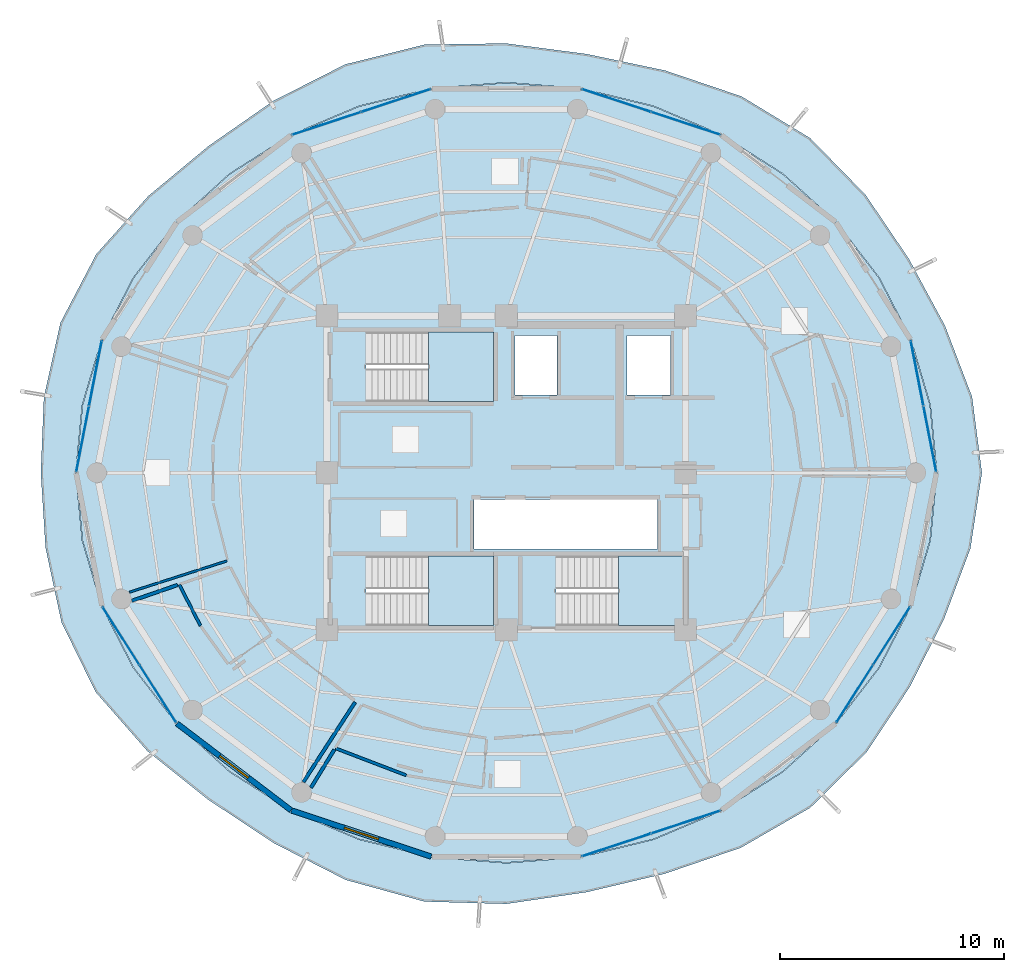
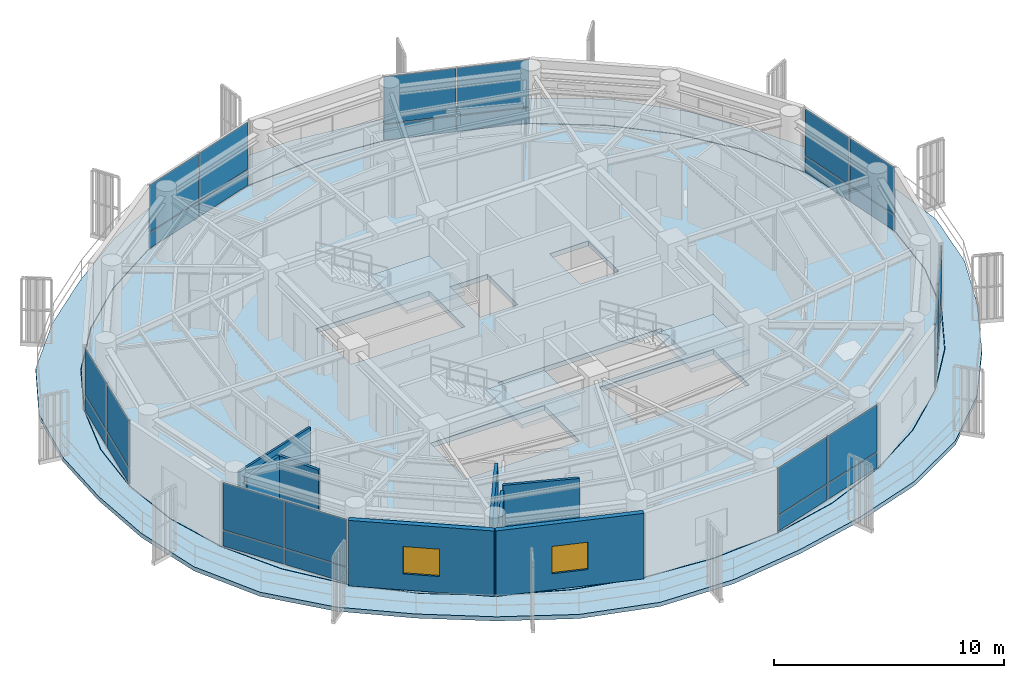
# One storey, part 14 of 22: 28 plates, 8 walls, 5 slabs, 2 windows, 2 openings, 10 elements without a shape of their own.
"""IFC4 building model written with IfcOpenShell, lengths in metres."""

from ifc_helpers import new_model, si_unit, direction, frame, frame_2d, origin, origin_2d, place, context, subcontext, project, spatial, polyline, rectangle, outline, extrude, source, transform, mapped, material, layer, layer_set, type_object, element, fill, aggregate, save


model = new_model("IFC4")

# Units and contexts
model_context = context("Model", 3, precision=1e-05, world=origin(), true_north=direction((0.0, 1.0)))
body_context = subcontext(model_context, "Body", "Model", "MODEL_VIEW")
ifc_project = project(units=[si_unit("LENGTHUNIT", "METRE"), si_unit("AREAUNIT", "SQUARE_METRE"), si_unit("VOLUMEUNIT", "CUBIC_METRE"), si_unit("PLANEANGLEUNIT", "RADIAN"), si_unit("MASSUNIT", "GRAM", prefix="KILO")], contexts=[model_context])

# Site, building, storey
site_placement = place(None, origin())
site = spatial("IfcSite", under=ifc_project, at=site_placement, CompositionType="ELEMENT")
building_placement = place(site_placement, origin())
building = spatial("IfcBuilding", under=site, at=building_placement, Name="Kelanora Arch Commons", CompositionType="ELEMENT")
storey_placement = place(building_placement, frame((0.0, 0.0, 271.199951171875)))
storey = spatial("IfcBuildingStorey", under=building, at=storey_placement, Name="L69", CompositionType="ELEMENT", Elevation=271.199951171875)

# Stair, slab
ifc_material_1 = material(Name="Concrete C40/50", Category="concrete")
stair_type = type_object("IfcStairType", Name="STR-DL-375", PredefinedType="HALF_TURN_STAIR", material=ifc_material_1)
stair_1_placement = place(storey_placement, origin())
stair_1 = element("IfcStair", 1, at=stair_1_placement, inside=storey, type_object=stair_type, Name="L69 ST-T1", PredefinedType="HALF_TURN_STAIR")
ifc_layer_1 = layer(ifc_material_1, 0.199951171875)
ifc_layer_set_1 = layer_set([ifc_layer_1], Name="Concrete C40/50")
slab_type_1 = type_object("IfcSlabType", Name="SLB-STAIR-LND", PredefinedType="LANDING", material=ifc_layer_set_1)
slab_1_placement = place(storey_placement, frame((0.0, 0.0, 1.675048828125)))
slab_1 = element("IfcSlab", 2, at=slab_1_placement, type_object=slab_type_1, Name="ST-T1 landing 1", PredefinedType="LANDING", context=body_context, shape_type="SweptSolid", body=[
    extrude(outline(polyline([(70.52001953125, 61.179931640625), (73.43994140625, 61.179931640625), (73.43994140625, 64.2900390625), (70.52001953125, 64.2900390625), (70.52001953125, 61.179931640625)])), origin(), (0.0, 0.0, 1.0), 0.199951171875),
])
aggregate(stair_1, [slab_1])

stair_2_placement = place(storey_placement, origin())
stair_2 = element("IfcStair", 3, at=stair_2_placement, inside=storey, type_object=stair_type, Name="L69 ST-T2", PredefinedType="HALF_TURN_STAIR")
slab_2_placement = place(storey_placement, frame((0.0, 0.0, 1.675048828125)))
slab_2 = element("IfcSlab", 4, at=slab_2_placement, type_object=slab_type_1, Name="ST-T2 landing 1", PredefinedType="LANDING", context=body_context, shape_type="SweptSolid", body=[
    extrude(outline(polyline([(79.0, 51.179931640625), (81.919921875, 51.179931640625), (81.919921875, 54.2900390625), (79.0, 54.2900390625), (79.0, 51.179931640625)])), origin(), (0.0, 0.0, 1.0), 0.199951171875),
])
aggregate(stair_2, [slab_2])

stair_3_placement = place(storey_placement, origin())
stair_3 = element("IfcStair", 5, at=stair_3_placement, inside=storey, type_object=stair_type, Name="L69 ST-T3", PredefinedType="HALF_TURN_STAIR")
slab_3_placement = place(storey_placement, frame((0.0, 0.0, 1.675048828125)))
slab_3 = element("IfcSlab", 6, at=slab_3_placement, type_object=slab_type_1, Name="ST-T3 landing 1", PredefinedType="LANDING", context=body_context, shape_type="SweptSolid", body=[
    extrude(outline(polyline([(70.52001953125, 51.179931640625), (73.43994140625, 51.179931640625), (73.43994140625, 54.2900390625), (70.52001953125, 54.2900390625), (70.52001953125, 51.179931640625)])), origin(), (0.0, 0.0, 1.0), 0.199951171875),
])
aggregate(stair_3, [slab_3])

# Slabs
ifc_layer_2 = layer(ifc_material_1, 0.260009765625)
ifc_layer_set_2 = layer_set([ifc_layer_2], Name="Concrete C40/50")
slab_type_2 = type_object("IfcSlabType", Name="SLB-TWR-TYP", PredefinedType="FLOOR", material=ifc_layer_set_2)
slab_4_placement = place(storey_placement, frame((0.0, 0.0, -0.260009765625)))
element("IfcSlab", 7, at=slab_4_placement, inside=storey, type_object=slab_type_2, Name="Tower Floor Slab L69", PredefinedType="FLOOR", context=body_context, shape_type="SweptSolid", body=[
    extrude(outline(polyline([(93.199951171875, 58.0), (92.908203125, 61.021484375), (92.0419921875, 63.951171875), (90.627685546875, 66.699951171875), (88.7080078125, 69.1845703125), (86.341552734375, 71.3291015625), (83.60009765625, 73.06884765625), (80.56689453125, 74.3505859375), (77.333984375, 75.1357421875), (74.0, 75.39990234375), (70.666015625, 75.1357421875), (67.43310546875, 74.3505859375), (64.39990234375, 73.06884765625), (61.658447265625, 71.3291015625), (59.2919921875, 69.1845703125), (57.372314453125, 66.699951171875), (55.9580078125, 63.951171875), (55.091796875, 61.021484375), (54.800048828125, 58.0), (55.091796875, 54.978515625), (55.9580078125, 52.048828125), (57.372314453125, 49.300048828125), (59.2919921875, 46.8154296875), (61.658447265625, 44.6708984375), (64.39990234375, 42.93115234375), (67.43310546875, 41.6494140625), (70.666015625, 40.8642578125), (74.0, 40.60009765625), (77.333984375, 40.8642578125), (80.56689453125, 41.6494140625), (83.60009765625, 42.93115234375), (86.341552734375, 44.6708984375), (88.7080078125, 46.8154296875), (90.627685546875, 49.300048828125), (92.0419921875, 52.048828125), (92.908203125, 54.978515625), (93.199951171875, 58.0)]), holes=[polyline([(73.431884765625, 51.18798828125), (67.72802734375, 51.18798828125), (67.72802734375, 54.281982421875), (73.431884765625, 54.281982421875), (73.431884765625, 51.18798828125)]), polyline([(76.2080078125, 51.18798828125), (76.2080078125, 54.281982421875), (81.912109375, 54.281982421875), (81.912109375, 51.18798828125), (76.2080078125, 51.18798828125)]), polyline([(72.550048828125, 54.60009765625), (72.550048828125, 56.800048828125), (80.75, 56.800048828125), (80.75, 54.60009765625), (72.550048828125, 54.60009765625)]), polyline([(73.431884765625, 61.18798828125), (67.72802734375, 61.18798828125), (67.72802734375, 64.281982421875), (73.431884765625, 64.281982421875), (73.431884765625, 61.18798828125)]), polyline([(74.3798828125, 61.47998046875), (74.3798828125, 64.1201171875), (76.260009765625, 64.1201171875), (76.260009765625, 61.47998046875), (74.3798828125, 61.47998046875)]), polyline([(79.3798828125, 61.47998046875), (79.3798828125, 64.1201171875), (81.320068359375, 64.1201171875), (81.320068359375, 61.47998046875), (79.3798828125, 61.47998046875)])]), origin(), (0.0, 0.0, 1.0), 0.260009765625),
])
ifc_layer_3 = layer(ifc_material_1, 0.219970703125)
ifc_layer_set_3 = layer_set([ifc_layer_3], Name="Concrete C40/50")
slab_type_3 = type_object("IfcSlabType", Name="SLB-WAVE-BAL", PredefinedType="FLOOR", material=ifc_layer_set_3)
slab_5_placement = place(storey_placement, frame((0.0, 0.0, -0.219970703125)))
element("IfcSlab", 8, at=slab_5_placement, inside=storey, type_object=slab_type_3, Name="Sinusoidal Wave Balcony Slab L69", PredefinedType="FLOOR", context=body_context, shape_type="SweptSolid", body=[
    extrude(outline(polyline([(95.2265625, 58.0), (94.7880859375, 61.38720703125), (93.5751953125, 64.56689453125), (91.96337890625, 67.551025390625), (90.02880859375, 70.407470703125), (87.56201171875, 72.93408203125), (84.5029296875, 74.794677734375), (81.094482421875, 75.95068359375), (77.582275390625, 76.689453125), (74.0, 77.16015625), (70.3505859375, 77.10986328125), (66.814208984375, 76.227294921875), (63.60205078125, 74.593994140625), (60.708251953125, 72.578857421875), (58.02880859375, 70.35400390625), (55.70556640625, 67.76171875), (54.102783203125, 64.6962890625), (53.364013671875, 61.357666015625), (53.2265625, 58.0), (53.437744140625, 54.65673828125), (54.150390625, 51.322998046875), (55.671875, 48.216796875), (57.97119140625, 45.592529296875), (60.69970703125, 43.41015625), (63.634033203125, 41.46728515625), (66.833251953125, 39.830810546875), (70.34619140625, 38.86328125), (74.0, 38.760009765625), (77.586669921875, 39.28369140625), (81.075439453125, 40.107421875), (84.470947265625, 41.2666015625), (87.5703125, 43.054931640625), (90.086669921875, 45.5390625), (91.997314453125, 48.427490234375), (93.527587890625, 51.4521484375), (94.71435546875, 54.627197265625), (95.2265625, 58.0)]), holes=[polyline([(92.927978515625, 54.97509765625), (92.060791015625, 52.0419921875), (90.64501953125, 49.2900390625), (88.723388671875, 46.802490234375), (86.3544921875, 44.655517578125), (83.610107421875, 42.913818359375), (80.573486328125, 41.630615234375), (77.33740234375, 40.844482421875), (74.0, 40.580078125), (70.66259765625, 40.844482421875), (67.426513671875, 41.630615234375), (64.389892578125, 42.913818359375), (61.6455078125, 44.655517578125), (59.276611328125, 46.802490234375), (57.35498046875, 49.2900390625), (55.939208984375, 52.0419921875), (55.072021484375, 54.97509765625), (54.780029296875, 58.0), (55.072021484375, 61.02490234375), (55.939208984375, 63.9580078125), (57.35498046875, 66.7099609375), (59.276611328125, 69.197509765625), (61.6455078125, 71.344482421875), (64.389892578125, 73.086181640625), (67.426513671875, 74.369384765625), (70.66259765625, 75.155517578125), (74.0, 75.419921875), (77.33740234375, 75.155517578125), (80.573486328125, 74.369384765625), (83.610107421875, 73.086181640625), (86.3544921875, 71.344482421875), (88.723388671875, 69.197509765625), (90.64501953125, 66.7099609375), (92.060791015625, 63.9580078125), (92.927978515625, 61.02490234375), (93.219970703125, 58.0), (92.927978515625, 54.97509765625)])]), origin(), (0.0, 0.0, 1.0), 0.219970703125),
])

# Curtain wall, plates
ifc_material_2 = material(Name="Terracotta ceramic-fritted low-E glass and aluminium", Category="masonry")
ifc_layer_4 = layer(ifc_material_2, 0.18994140625)
ifc_layer_set_4 = layer_set([ifc_layer_4], Name="Terracotta ceramic-fritted low-E glass and aluminium")
curtain_wall_type = type_object("IfcCurtainWallType", Name="CW-SYS-03", PredefinedType="NOTDEFINED", material=ifc_layer_set_4)
curtain_wall_1_placement = place(storey_placement, origin())
curtain_wall_1 = element("IfcCurtainWall", 9, at=curtain_wall_1_placement, inside=storey, type_object=curtain_wall_type, Name="Unitised Curtain Wall L69-B00", PredefinedType="NOTDEFINED")
ifc_material_3 = material(Name="Terracotta ceramic-fritted double glazing", Category="masonry")
ifc_layer_5 = layer(ifc_material_3, 0.028076171875)
ifc_layer_set_5 = layer_set([ifc_layer_5], Name="Terracotta ceramic-fritted double glazing")
plate_type = type_object("IfcPlateType", Name="CWP-FRIT", PredefinedType="CURTAIN_PANEL", material=ifc_layer_set_5)
shared_shape_1 = source(origin(), body_context, "Body", "SweptSolid", [
    extrude(rectangle(XDim=2.926513671875, YDim=0.028076171875, at=origin_2d()), origin(), (0.0, 0.0, 1.0), 0.81005859375),
])
plate_1_placement = place(storey_placement, frame((92.90625, 59.509765625, 0.06005859375), z_axis=(0.0, 0.0, 1.0), x_axis=(-0.190971701941, 0.981595542501, 0.0)))
plate_1 = element("IfcPlate", 10, at=plate_1_placement, type_object=plate_type, Name="CW-03 panel 1.1", PredefinedType="CURTAIN_PANEL", context=body_context, shape_type="MappedRepresentation", body=[
    mapped(shared_shape_1, transform((0.0, 0.0, 0.0), scale=1.0)),
])
plate_2_placement = place(storey_placement, frame((92.3359375, 62.44140625, 0.06005859375), z_axis=(0.0, 0.0, 1.0), x_axis=(-0.190971701941, 0.981595542501, 0.0)))
plate_2 = element("IfcPlate", 11, at=plate_2_placement, type_object=plate_type, Name="CW-03 panel 2.1", PredefinedType="CURTAIN_PANEL", context=body_context, shape_type="MappedRepresentation", body=[
    mapped(shared_shape_1, transform((0.0, 0.0, 0.0), scale=1.0)),
])

curtain_wall_2_placement = place(storey_placement, origin())
curtain_wall_2 = element("IfcCurtainWall", 12, at=curtain_wall_2_placement, inside=storey, type_object=curtain_wall_type, Name="Unitised Curtain Wall L69-B08", PredefinedType="NOTDEFINED")
plate_3_placement = place(storey_placement, frame((55.6640625, 62.44140625, 0.06005859375), z_axis=(0.0, 0.0, 1.0), x_axis=(-0.190971701941, -0.981595542501, 0.0)))
plate_3 = element("IfcPlate", 13, at=plate_3_placement, type_object=plate_type, Name="CW-03 panel 1.1", PredefinedType="CURTAIN_PANEL", context=body_context, shape_type="MappedRepresentation", body=[
    mapped(shared_shape_1, transform((0.0, 0.0, 0.0), scale=1.0)),
])
plate_4_placement = place(storey_placement, frame((55.09375, 59.509765625, 0.06005859375), z_axis=(0.0, 0.0, 1.0), x_axis=(-0.190971701941, -0.981595542501, 0.0)))
plate_4 = element("IfcPlate", 14, at=plate_4_placement, type_object=plate_type, Name="CW-03 panel 2.1", PredefinedType="CURTAIN_PANEL", context=body_context, shape_type="MappedRepresentation", body=[
    mapped(shared_shape_1, transform((0.0, 0.0, 0.0), scale=1.0)),
])

# Plate
shared_shape_2 = source(origin(), body_context, "Body", "SweptSolid", [
    extrude(rectangle(XDim=2.926513671875, YDim=0.028076171875, at=origin_2d()), origin(), (0.0, 0.0, 1.0), 2.485107421875),
])
plate_5_placement = place(storey_placement, frame((92.90625, 59.509765625, 0.93017578125), z_axis=(0.0, 0.0, 1.0), x_axis=(-0.190971701941, 0.981595542501, 0.0)))
plate_5 = element("IfcPlate", 15, at=plate_5_placement, type_object=plate_type, Name="CW-03 panel 1.2", PredefinedType="CURTAIN_PANEL", context=body_context, shape_type="MappedRepresentation", body=[
    mapped(shared_shape_2, transform((0.0, 0.0, 0.0), scale=1.0)),
])

plate_6_placement = place(storey_placement, frame((92.3359375, 62.44140625, 0.93017578125), z_axis=(0.0, 0.0, 1.0), x_axis=(-0.190971701941, 0.981595542501, 0.0)))
plate_6 = element("IfcPlate", 16, at=plate_6_placement, type_object=plate_type, Name="CW-03 panel 2.2", PredefinedType="CURTAIN_PANEL", context=body_context, shape_type="MappedRepresentation", body=[
    mapped(shared_shape_2, transform((0.0, 0.0, 0.0), scale=1.0)),
])

aggregate(curtain_wall_1, [plate_1, plate_5, plate_2, plate_6])

plate_7_placement = place(storey_placement, frame((55.6640625, 62.44140625, 0.93017578125), z_axis=(0.0, 0.0, 1.0), x_axis=(-0.190971701941, -0.981595542501, 0.0)))
plate_7 = element("IfcPlate", 17, at=plate_7_placement, type_object=plate_type, Name="CW-03 panel 1.2", PredefinedType="CURTAIN_PANEL", context=body_context, shape_type="MappedRepresentation", body=[
    mapped(shared_shape_2, transform((0.0, 0.0, 0.0), scale=1.0)),
])

plate_8_placement = place(storey_placement, frame((55.09375, 59.509765625, 0.93017578125), z_axis=(0.0, 0.0, 1.0), x_axis=(-0.190971701941, -0.981595542501, 0.0)))
plate_8 = element("IfcPlate", 18, at=plate_8_placement, type_object=plate_type, Name="CW-03 panel 2.2", PredefinedType="CURTAIN_PANEL", context=body_context, shape_type="MappedRepresentation", body=[
    mapped(shared_shape_2, transform((0.0, 0.0, 0.0), scale=1.0)),
])

aggregate(curtain_wall_2, [plate_3, plate_7, plate_4, plate_8])

# Curtain wall, plates
curtain_wall_3_placement = place(storey_placement, origin())
curtain_wall_3 = element("IfcCurtainWall", 19, at=curtain_wall_3_placement, inside=storey, type_object=curtain_wall_type, Name="Unitised Curtain Wall L69-B03", PredefinedType="NOTDEFINED")
shared_shape_3 = source(origin(), body_context, "Body", "SweptSolid", [
    extrude(rectangle(XDim=3.194091796875, YDim=0.028076171875, at=origin_2d()), origin(), (0.0, 0.0, 1.0), 0.81005859375),
])
plate_9_placement = place(storey_placement, frame((82.01220703125, 73.592529296875, 0.06005859375), z_axis=(0.0, 0.0, 1.0), x_axis=(-0.949669780752, 0.313252785344, 0.0)))
plate_9 = element("IfcPlate", 20, at=plate_9_placement, type_object=plate_type, Name="CW-03 panel 1.1", PredefinedType="CURTAIN_PANEL", context=body_context, shape_type="MappedRepresentation", body=[
    mapped(shared_shape_3, transform((0.0, 0.0, 0.0), scale=1.0)),
])
plate_10_placement = place(storey_placement, frame((78.921875, 74.61181640625, 0.06005859375), z_axis=(0.0, 0.0, 1.0), x_axis=(-0.949669780752, 0.313252785344, 0.0)))
plate_10 = element("IfcPlate", 21, at=plate_10_placement, type_object=plate_type, Name="CW-03 panel 2.1", PredefinedType="CURTAIN_PANEL", context=body_context, shape_type="MappedRepresentation", body=[
    mapped(shared_shape_3, transform((0.0, 0.0, 0.0), scale=1.0)),
])

curtain_wall_4_placement = place(storey_placement, origin())
curtain_wall_4 = element("IfcCurtainWall", 22, at=curtain_wall_4_placement, inside=storey, type_object=curtain_wall_type, Name="Unitised Curtain Wall L69-B05", PredefinedType="NOTDEFINED")
plate_11_placement = place(storey_placement, frame((69.078125, 74.61181640625, 0.06005859375), z_axis=(0.0, 0.0, 1.0), x_axis=(-0.949669780752, -0.313252785344, 0.0)))
plate_11 = element("IfcPlate", 23, at=plate_11_placement, type_object=plate_type, Name="CW-03 panel 1.1", PredefinedType="CURTAIN_PANEL", context=body_context, shape_type="MappedRepresentation", body=[
    mapped(shared_shape_3, transform((0.0, 0.0, 0.0), scale=1.0)),
])
plate_12_placement = place(storey_placement, frame((65.98779296875, 73.592529296875, 0.06005859375), z_axis=(0.0, 0.0, 1.0), x_axis=(-0.949669780752, -0.313252785344, 0.0)))
plate_12 = element("IfcPlate", 24, at=plate_12_placement, type_object=plate_type, Name="CW-03 panel 2.1", PredefinedType="CURTAIN_PANEL", context=body_context, shape_type="MappedRepresentation", body=[
    mapped(shared_shape_3, transform((0.0, 0.0, 0.0), scale=1.0)),
])

curtain_wall_5_placement = place(storey_placement, origin())
curtain_wall_5 = element("IfcCurtainWall", 25, at=curtain_wall_5_placement, inside=storey, type_object=curtain_wall_type, Name="Unitised Curtain Wall L69-B14", PredefinedType="NOTDEFINED")
plate_13_placement = place(storey_placement, frame((78.921875, 41.38818359375, 0.06005859375), z_axis=(0.0, 0.0, 1.0), x_axis=(0.949669780752, 0.313252785344, 0.0)))
plate_13 = element("IfcPlate", 26, at=plate_13_placement, type_object=plate_type, Name="CW-03 panel 1.1", PredefinedType="CURTAIN_PANEL", context=body_context, shape_type="MappedRepresentation", body=[
    mapped(shared_shape_3, transform((0.0, 0.0, 0.0), scale=1.0)),
])
plate_14_placement = place(storey_placement, frame((82.01220703125, 42.407470703125, 0.06005859375), z_axis=(0.0, 0.0, 1.0), x_axis=(0.949669780752, 0.313252785344, 0.0)))
plate_14 = element("IfcPlate", 27, at=plate_14_placement, type_object=plate_type, Name="CW-03 panel 2.1", PredefinedType="CURTAIN_PANEL", context=body_context, shape_type="MappedRepresentation", body=[
    mapped(shared_shape_3, transform((0.0, 0.0, 0.0), scale=1.0)),
])

# Plate
shared_shape_4 = source(origin(), body_context, "Body", "SweptSolid", [
    extrude(rectangle(XDim=3.194091796875, YDim=0.028076171875, at=origin_2d()), origin(), (0.0, 0.0, 1.0), 2.485107421875),
])
plate_15_placement = place(storey_placement, frame((82.01220703125, 73.592529296875, 0.93017578125), z_axis=(0.0, 0.0, 1.0), x_axis=(-0.949669780752, 0.313252785344, 0.0)))
plate_15 = element("IfcPlate", 28, at=plate_15_placement, type_object=plate_type, Name="CW-03 panel 1.2", PredefinedType="CURTAIN_PANEL", context=body_context, shape_type="MappedRepresentation", body=[
    mapped(shared_shape_4, transform((0.0, 0.0, 0.0), scale=1.0)),
])

plate_16_placement = place(storey_placement, frame((78.921875, 74.61181640625, 0.93017578125), z_axis=(0.0, 0.0, 1.0), x_axis=(-0.949669780752, 0.313252785344, 0.0)))
plate_16 = element("IfcPlate", 29, at=plate_16_placement, type_object=plate_type, Name="CW-03 panel 2.2", PredefinedType="CURTAIN_PANEL", context=body_context, shape_type="MappedRepresentation", body=[
    mapped(shared_shape_4, transform((0.0, 0.0, 0.0), scale=1.0)),
])

aggregate(curtain_wall_3, [plate_9, plate_15, plate_10, plate_16])

plate_17_placement = place(storey_placement, frame((69.078125, 74.61181640625, 0.93017578125), z_axis=(0.0, 0.0, 1.0), x_axis=(-0.949669780752, -0.313252785344, 0.0)))
plate_17 = element("IfcPlate", 30, at=plate_17_placement, type_object=plate_type, Name="CW-03 panel 1.2", PredefinedType="CURTAIN_PANEL", context=body_context, shape_type="MappedRepresentation", body=[
    mapped(shared_shape_4, transform((0.0, 0.0, 0.0), scale=1.0)),
])

plate_18_placement = place(storey_placement, frame((65.98779296875, 73.592529296875, 0.93017578125), z_axis=(0.0, 0.0, 1.0), x_axis=(-0.949669780752, -0.313252785344, 0.0)))
plate_18 = element("IfcPlate", 31, at=plate_18_placement, type_object=plate_type, Name="CW-03 panel 2.2", PredefinedType="CURTAIN_PANEL", context=body_context, shape_type="MappedRepresentation", body=[
    mapped(shared_shape_4, transform((0.0, 0.0, 0.0), scale=1.0)),
])

aggregate(curtain_wall_4, [plate_11, plate_17, plate_12, plate_18])

plate_19_placement = place(storey_placement, frame((78.921875, 41.38818359375, 0.93017578125), z_axis=(0.0, 0.0, 1.0), x_axis=(0.949669780752, 0.313252785344, 0.0)))
plate_19 = element("IfcPlate", 32, at=plate_19_placement, type_object=plate_type, Name="CW-03 panel 1.2", PredefinedType="CURTAIN_PANEL", context=body_context, shape_type="MappedRepresentation", body=[
    mapped(shared_shape_4, transform((0.0, 0.0, 0.0), scale=1.0)),
])

plate_20_placement = place(storey_placement, frame((82.01220703125, 42.407470703125, 0.93017578125), z_axis=(0.0, 0.0, 1.0), x_axis=(0.949669780752, 0.313252785344, 0.0)))
plate_20 = element("IfcPlate", 33, at=plate_20_placement, type_object=plate_type, Name="CW-03 panel 2.2", PredefinedType="CURTAIN_PANEL", context=body_context, shape_type="MappedRepresentation", body=[
    mapped(shared_shape_4, transform((0.0, 0.0, 0.0), scale=1.0)),
])

aggregate(curtain_wall_5, [plate_13, plate_19, plate_14, plate_20])

# Curtain wall, plates
curtain_wall_6_placement = place(storey_placement, origin())
curtain_wall_6 = element("IfcCurtainWall", 34, at=curtain_wall_6_placement, inside=storey, type_object=curtain_wall_type, Name="Unitised Curtain Wall L69-B10", PredefinedType="NOTDEFINED")
shared_shape_5 = source(origin(), body_context, "Body", "SweptSolid", [
    extrude(rectangle(XDim=2.99755859375, YDim=0.028076171875, at=origin_2d()), origin(), (0.0, 0.0, 1.0), 0.81005859375),
])
plate_21_placement = place(storey_placement, frame((56.803466796875, 50.721435546875, 0.06005859375), z_axis=(0.0, 0.0, 1.0), x_axis=(0.537299814397, -0.843391314545, 0.0)))
plate_21 = element("IfcPlate", 35, at=plate_21_placement, type_object=plate_type, Name="CW-03 panel 1.1", PredefinedType="CURTAIN_PANEL", context=body_context, shape_type="MappedRepresentation", body=[
    mapped(shared_shape_5, transform((0.0, 0.0, 0.0), scale=1.0)),
])
plate_22_placement = place(storey_placement, frame((58.4462890625, 48.142822265625, 0.06005859375), z_axis=(0.0, 0.0, 1.0), x_axis=(0.537299814397, -0.843391314545, 0.0)))
plate_22 = element("IfcPlate", 36, at=plate_22_placement, type_object=plate_type, Name="CW-03 panel 2.1", PredefinedType="CURTAIN_PANEL", context=body_context, shape_type="MappedRepresentation", body=[
    mapped(shared_shape_5, transform((0.0, 0.0, 0.0), scale=1.0)),
])

curtain_wall_7_placement = place(storey_placement, origin())
curtain_wall_7 = element("IfcCurtainWall", 37, at=curtain_wall_7_placement, inside=storey, type_object=curtain_wall_type, Name="Unitised Curtain Wall L69-B16", PredefinedType="NOTDEFINED")
plate_23_placement = place(storey_placement, frame((89.5537109375, 48.142822265625, 0.06005859375), z_axis=(0.0, 0.0, 1.0), x_axis=(0.537299814397, 0.843391314545, 0.0)))
plate_23 = element("IfcPlate", 38, at=plate_23_placement, type_object=plate_type, Name="CW-03 panel 1.1", PredefinedType="CURTAIN_PANEL", context=body_context, shape_type="MappedRepresentation", body=[
    mapped(shared_shape_5, transform((0.0, 0.0, 0.0), scale=1.0)),
])
plate_24_placement = place(storey_placement, frame((91.196533203125, 50.721435546875, 0.06005859375), z_axis=(0.0, 0.0, 1.0), x_axis=(0.537299814397, 0.843391314545, 0.0)))
plate_24 = element("IfcPlate", 39, at=plate_24_placement, type_object=plate_type, Name="CW-03 panel 2.1", PredefinedType="CURTAIN_PANEL", context=body_context, shape_type="MappedRepresentation", body=[
    mapped(shared_shape_5, transform((0.0, 0.0, 0.0), scale=1.0)),
])

# Plate
shared_shape_6 = source(origin(), body_context, "Body", "SweptSolid", [
    extrude(rectangle(XDim=2.99755859375, YDim=0.028076171875, at=origin_2d()), origin(), (0.0, 0.0, 1.0), 2.485107421875),
])
plate_25_placement = place(storey_placement, frame((56.803466796875, 50.721435546875, 0.93017578125), z_axis=(0.0, 0.0, 1.0), x_axis=(0.537299814397, -0.843391314545, 0.0)))
plate_25 = element("IfcPlate", 40, at=plate_25_placement, type_object=plate_type, Name="CW-03 panel 1.2", PredefinedType="CURTAIN_PANEL", context=body_context, shape_type="MappedRepresentation", body=[
    mapped(shared_shape_6, transform((0.0, 0.0, 0.0), scale=1.0)),
])

plate_26_placement = place(storey_placement, frame((58.4462890625, 48.142822265625, 0.93017578125), z_axis=(0.0, 0.0, 1.0), x_axis=(0.537299814397, -0.843391314545, 0.0)))
plate_26 = element("IfcPlate", 41, at=plate_26_placement, type_object=plate_type, Name="CW-03 panel 2.2", PredefinedType="CURTAIN_PANEL", context=body_context, shape_type="MappedRepresentation", body=[
    mapped(shared_shape_6, transform((0.0, 0.0, 0.0), scale=1.0)),
])

aggregate(curtain_wall_6, [plate_21, plate_25, plate_22, plate_26])

plate_27_placement = place(storey_placement, frame((89.5537109375, 48.142822265625, 0.93017578125), z_axis=(0.0, 0.0, 1.0), x_axis=(0.537299814397, 0.843391314545, 0.0)))
plate_27 = element("IfcPlate", 42, at=plate_27_placement, type_object=plate_type, Name="CW-03 panel 1.2", PredefinedType="CURTAIN_PANEL", context=body_context, shape_type="MappedRepresentation", body=[
    mapped(shared_shape_6, transform((0.0, 0.0, 0.0), scale=1.0)),
])

plate_28_placement = place(storey_placement, frame((91.196533203125, 50.721435546875, 0.93017578125), z_axis=(0.0, 0.0, 1.0), x_axis=(0.537299814397, 0.843391314545, 0.0)))
plate_28 = element("IfcPlate", 43, at=plate_28_placement, type_object=plate_type, Name="CW-03 panel 2.2", PredefinedType="CURTAIN_PANEL", context=body_context, shape_type="MappedRepresentation", body=[
    mapped(shared_shape_6, transform((0.0, 0.0, 0.0), scale=1.0)),
])

aggregate(curtain_wall_7, [plate_23, plate_27, plate_24, plate_28])

# Walls
ifc_material_4 = material(Name="Autoclaved aerated concrete blockwork with fire plaster", Category="masonry")
ifc_layer_6 = layer(ifc_material_4, 0.14990234375)
ifc_layer_set_6 = layer_set([ifc_layer_6], Name="Autoclaved aerated concrete blockwork with fire plaster")
wall_type_1 = type_object("IfcWallType", Name="W-COMP-150", PredefinedType="PARTITIONING", material=ifc_layer_set_6)
wall_1_placement = place(storey_placement, frame((67.254150390625, 47.760498046875, 0.0), z_axis=(0.0, 0.0, 1.0), x_axis=(-0.544234825024, -0.838932926539, 0.0)))
element("IfcWall", 44, at=wall_1_placement, inside=storey, type_object=wall_type_1, Name="Co-Living Studio L69-04 Enclosure Partition 2", PredefinedType="PARTITIONING", context=body_context, shape_type="SweptSolid", body=[
    extrude(rectangle(XDim=4.2490234375, YDim=0.14990234375, at=frame_2d((2.12451171875, 0.0))), origin(), (0.0, 0.0, 1.0), 3.074951171875),
])
wall_2_placement = place(storey_placement, frame((57.291015625, 52.28662109375, 0.0), z_axis=(0.0, 0.0, 1.0), x_axis=(0.945101825102, 0.326775978598, 0.0)))
element("IfcWall", 45, at=wall_2_placement, inside=storey, type_object=wall_type_1, Name="Co-Living Studio L69-04 Enclosure Partition 5", PredefinedType="PARTITIONING", context=body_context, shape_type="SweptSolid", body=[
    extrude(rectangle(XDim=2.155517578125, YDim=0.14990234375, at=frame_2d((1.07763671875, 0.0))), origin(), (0.0, 0.0, 1.0), 3.074951171875),
])
wall_3_placement = place(storey_placement, frame((65.282958984375, 43.944091796875, 0.0), z_axis=(0.0, 0.0, 1.0), x_axis=(0.522809528722, 0.852449527349, 0.0)))
element("IfcWall", 46, at=wall_3_placement, inside=storey, type_object=wall_type_1, Name="Co-Living Studio L69-05 Enclosure Partition 6", PredefinedType="PARTITIONING", context=body_context, shape_type="SweptSolid", body=[
    extrude(rectangle(XDim=1.9892578125, YDim=0.14990234375, at=frame_2d((0.99462890625, 0.0))), origin(), (0.0, 0.0, 1.0), 3.235107421875),
])

# Wall, opening, window
ifc_material_5 = material(Name="Precast concrete C40/50 upper-zone terracotta rainscreen", Category="masonry")
ifc_layer_7 = layer(ifc_material_5, 0.239990234375)
ifc_layer_set_7 = layer_set([ifc_layer_7], Name="Precast concrete C40/50 upper-zone terracotta rainscreen")
wall_type_2 = type_object("IfcWallType", Name="W-EXT-TC2", PredefinedType="SOLIDWALL", material=ifc_layer_set_7)
wall_4_placement = place(storey_placement, frame((59.3037109375, 46.806396484375, 0.0), z_axis=(0.0, 0.0, 1.0), x_axis=(0.796010444211, -0.605282886514, 0.0)))
wall_4 = element("IfcWall", 47, at=wall_4_placement, inside=storey, type_object=wall_type_2, Name="Terracotta Exterior Wall L69-B11", PredefinedType="SOLIDWALL", context=body_context, shape_type="SweptSolid", body=[
    extrude(rectangle(XDim=6.387451171875, YDim=0.239990234375, at=frame_2d((3.19384765625, 0.0))), origin(), (0.0, 0.0, 1.0), 3.47509765625),
])
opening_1_placement = place(wall_4_placement, frame((2.39404296875, 0.0, 0.85009765625)))
opening_1 = element("IfcOpeningElement", 48, at=opening_1_placement, cuts=wall_4, Name="Opening WN-01", PredefinedType="OPENING", context=body_context, shape_type="SweptSolid", body=[
    extrude(rectangle(XDim=1.60009765625, YDim=1.449951171875, at=frame_2d((0.800048828125, 0.72509765625))), frame((0.0, 0.1298828125, 0.0), z_axis=(0.0, -1.0, 0.0), x_axis=(1.0, 0.0, 0.0)), (0.0, 0.0, 1.0), 0.260009765625),
])
ifc_material_6 = material(Name="Terracotta-anodised aluminium frame with operable low-E glazing", Category="masonry")
window_type = type_object("IfcWindowType", Name="WIN-CL-18", PartitioningType="DOUBLE_PANEL_VERTICAL", PredefinedType="WINDOW", material=ifc_material_6)
window_1_placement = place(opening_1_placement, origin())
window_1 = element("IfcWindow", 49, at=window_1_placement, inside=storey, type_object=window_type, Name="Co-Living Operable Window L69-B11", OverallHeight=1.449951171875, OverallWidth=1.60009765625, PartitioningType="SINGLE_PANEL", PredefinedType="WINDOW", context=body_context, shape_type="SweptSolid", body=[
    extrude(rectangle(XDim=1.60009765625, YDim=1.449951171875, at=frame_2d((0.800048828125, 0.72509765625))), frame((0.0, 0.030029296875, 0.0), z_axis=(0.0, -1.0, 0.0), x_axis=(1.0, 0.0, 0.0)), (0.0, 0.0, 1.0), 0.06005859375),
])
fill(opening_1, window_1)

wall_5_placement = place(storey_placement, frame((64.414306640625, 42.926513671875, 0.0), z_axis=(0.0, 0.0, 1.0), x_axis=(0.949663708393, -0.313271193954, 0.0)))
wall_5 = element("IfcWall", 50, at=wall_5_placement, inside=storey, type_object=wall_type_2, Name="Terracotta Exterior Wall L69-B12", PredefinedType="SOLIDWALL", context=body_context, shape_type="SweptSolid", body=[
    extrude(rectangle(XDim=6.568115234375, YDim=0.239990234375, at=frame_2d((3.2841796875, 0.0))), origin(), (0.0, 0.0, 1.0), 3.47509765625),
])
opening_2_placement = place(wall_5_placement, frame((2.48388671875, 0.0, 0.85009765625)))
opening_2 = element("IfcOpeningElement", 51, at=opening_2_placement, cuts=wall_5, Name="Opening WN-01", PredefinedType="OPENING", context=body_context, shape_type="SweptSolid", body=[
    extrude(rectangle(XDim=1.60009765625, YDim=1.449951171875, at=frame_2d((0.800048828125, 0.72509765625))), frame((0.0, 0.1298828125, 0.0), z_axis=(0.0, -1.0, 0.0), x_axis=(1.0, 0.0, 0.0)), (0.0, 0.0, 1.0), 0.260009765625),
])
window_2_placement = place(opening_2_placement, origin())
window_2 = element("IfcWindow", 52, at=window_2_placement, inside=storey, type_object=window_type, Name="Co-Living Operable Window L69-B12", OverallHeight=1.449951171875, OverallWidth=1.60009765625, PartitioningType="SINGLE_PANEL", PredefinedType="WINDOW", context=body_context, shape_type="SweptSolid", body=[
    extrude(rectangle(XDim=1.60009765625, YDim=1.449951171875, at=frame_2d((0.800048828125, 0.72509765625))), frame((0.0, 0.030029296875, 0.0), z_axis=(0.0, -1.0, 0.0), x_axis=(1.0, 0.0, 0.0)), (0.0, 0.0, 1.0), 0.06005859375),
])
fill(opening_2, window_2)

# Walls
ifc_material_7 = material(Name="Lightweight fire-rated acoustic stud partition")
ifc_layer_8 = layer(ifc_material_7, 0.10009765625)
ifc_layer_set_8 = layer_set([ifc_layer_8], Name="Lightweight fire-rated acoustic stud partition")
wall_type_3 = type_object("IfcWallType", Name="W-PART-100", PredefinedType="PARTITIONING", material=ifc_layer_set_8)
wall_6_placement = place(storey_placement, frame((61.531982421875, 54.064697265625, 0.0), z_axis=(0.0, 0.0, 1.0), x_axis=(-0.95227750557, -0.305233602976, 0.0)))
element("IfcWall", 53, at=wall_6_placement, inside=storey, type_object=wall_type_3, Name="Social Sky Lounge L69-03 Enclosure Partition 4", PredefinedType="PARTITIONING", context=body_context, shape_type="SweptSolid", body=[
    extrude(rectangle(XDim=4.5654296875, YDim=0.10009765625, at=frame_2d((2.28271484375, 0.0))), origin(), (0.0, 0.0, 1.0), 3.175048828125),
])
ifc_material_8 = material(Name="Moisture-resistant fire-rated cement-board plumbing wall")
ifc_layer_9 = layer(ifc_material_8, 0.1298828125)
ifc_layer_set_9 = layer_set([ifc_layer_9], Name="Moisture-resistant fire-rated cement-board plumbing wall")
wall_type_4 = type_object("IfcWallType", Name="W-WET-120", PredefinedType="PLUMBINGWALL", material=ifc_layer_set_9)
wall_7_placement = place(storey_placement, frame((60.348876953125, 51.17578125, 0.0), z_axis=(0.0, 0.0, 1.0), x_axis=(-0.456758857188, 0.889590549849, 0.0)))
element("IfcWall", 54, at=wall_7_placement, inside=storey, type_object=wall_type_4, Name="En-Suite Shower WC L69-04 Enclosure Partition 5", PredefinedType="PLUMBINGWALL", context=body_context, shape_type="SweptSolid", body=[
    extrude(rectangle(XDim=2.05078125, YDim=0.1298828125, at=frame_2d((1.025390625, 0.0))), origin(), (0.0, 0.0, 1.0), 3.074951171875),
])
wall_8_placement = place(storey_placement, frame((69.5341796875, 44.4970703125, 0.0), z_axis=(0.0, 0.0, 1.0), x_axis=(-0.934061774164, 0.357111470057, 0.0)))
element("IfcWall", 55, at=wall_8_placement, inside=storey, type_object=wall_type_4, Name="En-Suite Shower WC L69-05 Enclosure Partition 5", PredefinedType="PLUMBINGWALL", context=body_context, shape_type="SweptSolid", body=[
    extrude(rectangle(XDim=3.373779296875, YDim=0.1298828125, at=frame_2d((1.68701171875, 0.0))), origin(), (0.0, 0.0, 1.0), 3.47998046875),
])

save(model, "model.ifc")
